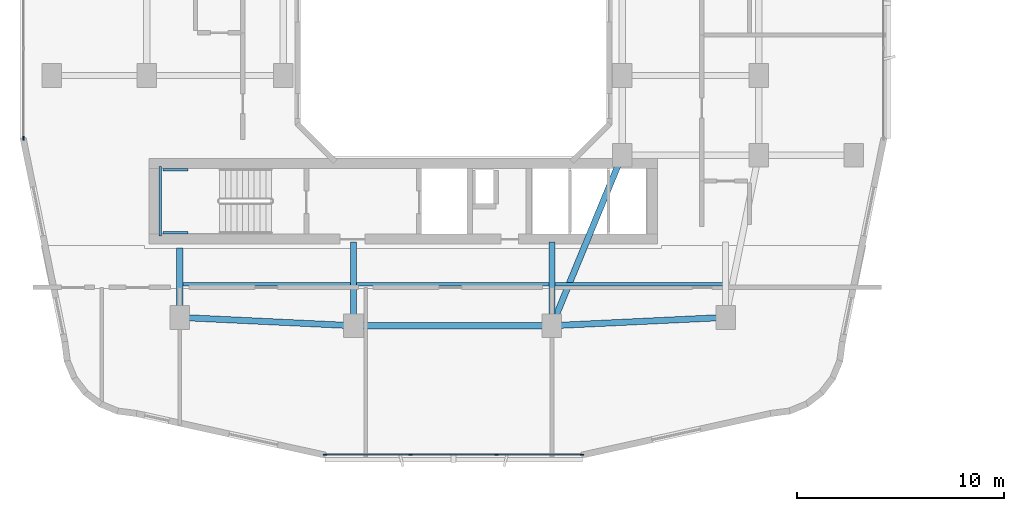
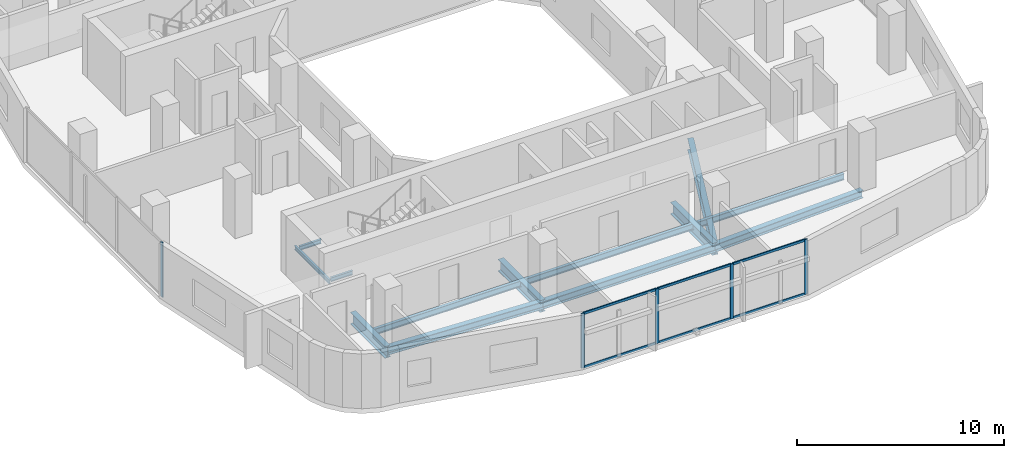
# One storey, part 2 of 26: 13 beams, 11 members, 2 elements without a shape of their own.
"""IFC4 building model written with IfcOpenShell, lengths in metres."""

from ifc_helpers import new_model, si_unit, derived_unit, direction, frame, origin, origin_2d, place, context, subcontext, project, spatial, rectangle, i_section, extrude, material, layer, layer_set, material_profile, profile_set, type_object, element, aggregate, save


model = new_model("IFC4")

# Units and contexts
model_context = context("Model", 3, precision=1e-05, world=origin(), true_north=direction((0.0, 1.0)))
body_context = subcontext(model_context, "Body", "Model", "MODEL_VIEW")
ifc_project = project(units=[si_unit("LENGTHUNIT", "METRE"), si_unit("AREAUNIT", "SQUARE_METRE"), si_unit("VOLUMEUNIT", "CUBIC_METRE"), si_unit("PLANEANGLEUNIT", "RADIAN"), si_unit("MASSUNIT", "GRAM", prefix="KILO"), derived_unit("THERMALTRANSMITTANCEUNIT", [(si_unit("POWERUNIT", "WATT"), 1), (si_unit("LENGTHUNIT", "METRE"), -2), (si_unit("THERMODYNAMICTEMPERATUREUNIT", "KELVIN"), -1)])], contexts=[model_context])

# Site, building, storey
site_placement = place(None, origin())
site = spatial("IfcSite", under=ifc_project, at=site_placement, CompositionType="ELEMENT")
building_placement = place(site_placement, origin())
building = spatial("IfcBuilding", under=site, at=building_placement, Name="Kivonza Crest Hotel", CompositionType="ELEMENT")
storey_placement = place(building_placement, frame((0.0, 0.0, 62.5)))
storey = spatial("IfcBuildingStorey", under=building, at=storey_placement, Name="L16", CompositionType="ELEMENT", Elevation=62.5)

# Beams
ifc_material_1 = material(Name="Steel S355", Category="steel")
ifc_material_profile_1 = material_profile(ifc_material_1, i_section(OverallWidth=0.300048828125, OverallDepth=0.449951171875, WebThickness=0.013916015625, FlangeThickness=0.02587890625, FilletRadius=0.027099609375, at=origin_2d()), Name="HEB 450")
ifc_profile_set_1 = profile_set([ifc_material_profile_1], Name="Steel S355")
beam_type_1 = type_object("IfcBeamType", Name="BM-HEB450", PredefinedType="SPANDREL", material=ifc_profile_set_1)
beam_1_placement = place(storey_placement, frame((16.199951171875, 9.39990234375, -0.5048828125), z_axis=(1.0, 0.0, 0.0), x_axis=(0.0, 1.0, 0.0)))
element("IfcBeam", 1, at=beam_1_placement, inside=storey, type_object=beam_type_1, Name="Tower T1 L16 perimeter spandrel S1-S2", PredefinedType="SPANDREL", context=body_context, shape_type="SweptSolid", body=[
    extrude(i_section(OverallWidth=0.300048828125, OverallDepth=0.449951171875, WebThickness=0.013916015625, FlangeThickness=0.02587890625, FilletRadius=0.027099609375, at=origin_2d()), origin(), (0.0, 0.0, 1.0), 9.60009765625),
])
for number, where, z_axis, x_axis, name in (
    (2, (25.800048828125, 9.39990234375, -0.5048828125), (0.998867283688, 0.047583080799, 0.0), (-0.047583080799, 0.998867283688, 0.0), "Tower T1 L16 perimeter spandrel S2-SE"),
    (3, (7.800048828125, 9.800048828125, -0.5048828125), (0.998867283688, -0.047583080799, 0.0), (0.047583080799, 0.998867283688, 0.0), "Tower T1 L16 perimeter spandrel SW-S1"),
):
    element("IfcBeam", number, at=place(storey_placement, frame(where, z_axis=z_axis, x_axis=x_axis)), inside=storey, type_object=beam_type_1, Name=name, PredefinedType="SPANDREL", context=body_context, shape_type="SweptSolid", body=[
        extrude(i_section(OverallWidth=0.300048828125, OverallDepth=0.449951171875, WebThickness=0.013916015625, FlangeThickness=0.02587890625, FilletRadius=0.027099609375, at=origin_2d()), origin(), (0.0, 0.0, 1.0), 8.409423828125),
    ])
ifc_material_profile_2 = material_profile(ifc_material_1, i_section(OverallWidth=0.300048828125, OverallDepth=0.699951171875, WebThickness=0.01708984375, FlangeThickness=0.031982421875, FilletRadius=0.027099609375, at=origin_2d()), Name="HEB 700")
ifc_profile_set_2 = profile_set([ifc_material_profile_2], Name="Steel S355")
beam_type_2 = type_object("IfcBeamType", Name="BM-HEB700", PredefinedType="BEAM", material=ifc_profile_set_2)
beam_2_placement = place(storey_placement, frame((25.800048828125, 9.39990234375, -0.6298828125), z_axis=(0.381022260404, 0.924565864109, 0.0), x_axis=(-0.924565864109, 0.381022260404, 0.0)))
element("IfcBeam", 4, at=beam_2_placement, inside=storey, type_object=beam_type_2, Name="Tower T1 L16 primary girder S1-TSE", PredefinedType="BEAM", context=body_context, shape_type="SweptSolid", body=[
    extrude(i_section(OverallWidth=0.300048828125, OverallDepth=0.699951171875, WebThickness=0.01708984375, FlangeThickness=0.031982421875, FilletRadius=0.027099609375, at=origin_2d()), origin(), (0.0, 0.0, 1.0), 8.923095703125),
])
beam_3_placement = place(storey_placement, frame((7.800048828125, 9.800048828125, -0.6298828125), z_axis=(0.0, 1.0, 0.0), x_axis=(-1.0, 0.0, 0.0)))
element("IfcBeam", 5, at=beam_3_placement, inside=storey, type_object=beam_type_2, Name="Tower T1 L16 radial core girder RSW", PredefinedType="BEAM", context=body_context, shape_type="SweptSolid", body=[
    extrude(i_section(OverallWidth=0.300048828125, OverallDepth=0.699951171875, WebThickness=0.01708984375, FlangeThickness=0.031982421875, FilletRadius=0.027099609375, at=origin_2d()), origin(), (0.0, 0.0, 1.0), 3.349853515625),
])
for number, where, z_axis, x_axis, name in (
    (6, (16.199951171875, 9.39990234375, -0.6298828125), (0.0, 1.0, 0.0), (-1.0, 0.0, 0.0), "Tower T1 L16 radial core girder RS1"),
    (7, (25.800048828125, 9.39990234375, -0.6298828125), (0.0, 1.0, 0.0), (-1.0, 0.0, 0.0), "Tower T1 L16 radial core girder RS2"),
):
    element("IfcBeam", number, at=place(storey_placement, frame(where, z_axis=z_axis, x_axis=x_axis)), inside=storey, type_object=beam_type_2, Name=name, PredefinedType="BEAM", context=body_context, shape_type="SweptSolid", body=[
        extrude(i_section(OverallWidth=0.300048828125, OverallDepth=0.699951171875, WebThickness=0.01708984375, FlangeThickness=0.031982421875, FilletRadius=0.027099609375, at=origin_2d()), origin(), (0.0, 0.0, 1.0), 4.050048828125),
    ])
ifc_material_profile_3 = material_profile(ifc_material_1, i_section(OverallWidth=0.169921875, OverallDepth=0.360107421875, WebThickness=0.008056640625, FlangeThickness=0.0126953125, FilletRadius=0.01806640625, at=origin_2d()), Name="IPE 360")
ifc_profile_set_3 = profile_set([ifc_material_profile_3], Name="Steel S355")
beam_type_3 = type_object("IfcBeamType", Name="BM-IPE360", PredefinedType="JOIST", material=ifc_profile_set_3)
beam_4_placement = place(storey_placement, frame((7.8798828125, 11.39990234375, -0.4599609375), z_axis=(1.0, 0.0, 0.0), x_axis=(0.0, 1.0, 0.0)))
element("IfcBeam", 8, at=beam_4_placement, inside=storey, type_object=beam_type_3, Name="Tower T1 L16 South-West floor joist", PredefinedType="JOIST", context=body_context, shape_type="SweptSolid", body=[
    extrude(i_section(OverallWidth=0.169921875, OverallDepth=0.360107421875, WebThickness=0.008056640625, FlangeThickness=0.0126953125, FilletRadius=0.01806640625, at=origin_2d()), origin(), (0.0, 0.0, 1.0), 8.240234375),
])
beam_5_placement = place(storey_placement, frame((16.280029296875, 11.39990234375, -0.4599609375), z_axis=(1.0, 0.0, 0.0), x_axis=(0.0, 1.0, 0.0)))
element("IfcBeam", 9, at=beam_5_placement, inside=storey, type_object=beam_type_3, Name="Tower T1 L16 South-Mid floor joist", PredefinedType="JOIST", context=body_context, shape_type="SweptSolid", body=[
    extrude(i_section(OverallWidth=0.169921875, OverallDepth=0.360107421875, WebThickness=0.008056640625, FlangeThickness=0.0126953125, FilletRadius=0.01806640625, at=origin_2d()), origin(), (0.0, 0.0, 1.0), 9.43994140625),
])
beam_6_placement = place(storey_placement, frame((25.8798828125, 11.39990234375, -0.4599609375), z_axis=(1.0, 0.0, 0.0), x_axis=(0.0, 1.0, 0.0)))
element("IfcBeam", 10, at=beam_6_placement, inside=storey, type_object=beam_type_3, Name="Tower T1 L16 South-East floor joist", PredefinedType="JOIST", context=body_context, shape_type="SweptSolid", body=[
    extrude(i_section(OverallWidth=0.169921875, OverallDepth=0.360107421875, WebThickness=0.008056640625, FlangeThickness=0.0126953125, FilletRadius=0.01806640625, at=origin_2d()), origin(), (0.0, 0.0, 1.0), 8.240234375),
])
ifc_material_profile_4 = material_profile(ifc_material_1, i_section(OverallWidth=0.1201171875, OverallDepth=0.239990234375, WebThickness=0.006103515625, FlangeThickness=0.009765625, FilletRadius=0.014892578125, at=origin_2d()), Name="IPE 240")
ifc_profile_set_4 = profile_set([ifc_material_profile_4], Name="Steel S355")
beam_type_4 = type_object("IfcBeamType", Name="BM-LLDG-240", PredefinedType="BEAM", material=ifc_profile_set_4)
beam_7_placement = place(storey_placement, frame((6.860107421875, 13.739990234375, 1.429931640625), z_axis=(0.0, 1.0, 0.0), x_axis=(-1.0, 0.0, 0.0)))
element("IfcBeam", 11, at=beam_7_placement, inside=storey, type_object=beam_type_4, Name="Stair ST-T1-S L16 West landing corbel", PredefinedType="BEAM", context=body_context, shape_type="SweptSolid", body=[
    extrude(i_section(OverallWidth=0.1201171875, OverallDepth=0.239990234375, WebThickness=0.006103515625, FlangeThickness=0.009765625, FilletRadius=0.014892578125, at=origin_2d()), origin(), (0.0, 0.0, 1.0), 3.360107421875),
])
for number, where, z_axis, x_axis, name in (
    (12, (6.989990234375, 13.89990234375, 1.429931640625), (1.0, 0.0, 0.0), (0.0, 1.0, 0.0), "Stair ST-T1-S L16 South landing corbel"),
    (13, (6.989990234375, 16.93994140625, 1.429931640625), (1.0, 0.0, 0.0), (0.0, 1.0, 0.0), "Stair ST-T1-S L16 North landing corbel"),
):
    element("IfcBeam", number, at=place(storey_placement, frame(where, z_axis=z_axis, x_axis=x_axis)), inside=storey, type_object=beam_type_4, Name=name, PredefinedType="BEAM", context=body_context, shape_type="SweptSolid", body=[
        extrude(i_section(OverallWidth=0.1201171875, OverallDepth=0.239990234375, WebThickness=0.006103515625, FlangeThickness=0.009765625, FilletRadius=0.014892578125, at=origin_2d()), origin(), (0.0, 0.0, 1.0), 1.2099609375),
    ])

# Curtain wall, members
ifc_material_2 = material(Name="Anodised bronze aluminium and low-E double glazing", Category="aluminium")
ifc_layer = layer(ifc_material_2, 0.179931640625)
ifc_layer_set = layer_set([ifc_layer], Name="Anodised bronze aluminium and low-E double glazing")
curtain_wall_type = type_object("IfcCurtainWallType", Name="CW-SYS-2", PredefinedType="NOTDEFINED", material=ifc_layer_set)
curtain_wall_1_placement = place(storey_placement, origin())
curtain_wall_1 = element("IfcCurtainWall", 14, at=curtain_wall_1_placement, inside=storey, type_object=curtain_wall_type, Name="L16 unitised curtain wall CW-T1-L16-08", PredefinedType="NOTDEFINED")
ifc_material_3 = material(Name="Anodised bronze aluminium", Category="aluminium")
ifc_material_profile_5 = material_profile(ifc_material_3, rectangle(XDim=0.06494140625, YDim=0.179931640625, at=origin_2d()), Name="CW-M 65x180")
ifc_profile_set_5 = profile_set([ifc_material_profile_5], Name="Anodised bronze aluminium")
member_type_1 = type_object("IfcMemberType", Name="CW-MUL-65x180", PredefinedType="MULLION", material=ifc_profile_set_5)
member_1_placement = place(storey_placement, frame((14.824462890625, 3.159912109375, 0.0), z_axis=(0.0, 0.0, 1.0), x_axis=(0.0, 1.0, 0.0)))
member_1 = element("IfcMember", 15, at=member_1_placement, type_object=member_type_1, Name="CW-2 mullion 1", PredefinedType="MULLION", context=body_context, shape_type="SweptSolid", body=[
    extrude(rectangle(XDim=0.06494140625, YDim=0.179931640625, at=origin_2d()), origin(), (0.0, 0.0, 1.0), 3.219970703125),
])
member_2_placement = place(storey_placement, frame((18.957275390625, 3.159912109375, 0.0), z_axis=(0.0, 0.0, 1.0), x_axis=(0.0, 1.0, 0.0)))
member_2 = element("IfcMember", 16, at=member_2_placement, type_object=member_type_1, Name="CW-2 mullion 2", PredefinedType="MULLION", context=body_context, shape_type="SweptSolid", body=[
    extrude(rectangle(XDim=0.06494140625, YDim=0.179931640625, at=origin_2d()), origin(), (0.0, 0.0, 1.0), 3.219970703125),
])
member_3_placement = place(storey_placement, frame((23.12255859375, 3.159912109375, 0.0), z_axis=(0.0, 0.0, 1.0), x_axis=(0.0, 1.0, 0.0)))
member_3 = element("IfcMember", 17, at=member_3_placement, type_object=member_type_1, Name="CW-2 mullion 3", PredefinedType="MULLION", context=body_context, shape_type="SweptSolid", body=[
    extrude(rectangle(XDim=0.06494140625, YDim=0.179931640625, at=origin_2d()), origin(), (0.0, 0.0, 1.0), 3.219970703125),
])
member_4_placement = place(storey_placement, frame((27.255615234375, 3.159912109375, 0.0), z_axis=(0.0, 0.0, 1.0), x_axis=(0.0, 1.0, 0.0)))
member_4 = element("IfcMember", 18, at=member_4_placement, type_object=member_type_1, Name="CW-2 mullion 4", PredefinedType="MULLION", context=body_context, shape_type="SweptSolid", body=[
    extrude(rectangle(XDim=0.06494140625, YDim=0.179931640625, at=origin_2d()), origin(), (0.0, 0.0, 1.0), 3.219970703125),
])

# Curtain wall, member
curtain_wall_2_placement = place(storey_placement, origin())
curtain_wall_2 = element("IfcCurtainWall", 19, at=curtain_wall_2_placement, inside=storey, type_object=curtain_wall_type, Name="L16 unitised curtain wall CW-T1-L16-35", PredefinedType="NOTDEFINED")
member_5_placement = place(storey_placement, frame((0.239990234375, 18.472412109375, 0.0), z_axis=(0.0, 0.0, 1.0), x_axis=(1.0, 0.0, 0.0)))
member_5 = element("IfcMember", 20, at=member_5_placement, type_object=member_type_1, Name="CW-2 mullion 4", PredefinedType="MULLION", context=body_context, shape_type="SweptSolid", body=[
    extrude(rectangle(XDim=0.06494140625, YDim=0.179931640625, at=origin_2d()), origin(), (0.0, 0.0, 1.0), 3.219970703125),
])
aggregate(curtain_wall_2, [member_5])

# Member
ifc_material_profile_6 = material_profile(ifc_material_3, rectangle(XDim=0.06494140625, YDim=0.139892578125, at=origin_2d()), Name="CW-T 65x140")
ifc_profile_set_6 = profile_set([ifc_material_profile_6], Name="Anodised bronze aluminium")
member_type_2 = type_object("IfcMemberType", Name="CW-TRN-65x140", PredefinedType="USERDEFINED", material=ifc_profile_set_6)
member_6_placement = place(storey_placement, frame((14.85693359375, 3.159912109375, 0.032470703125), z_axis=(1.0, 0.0, 0.0), x_axis=(0.0, 1.0, 0.0)))
member_6 = element("IfcMember", 21, at=member_6_placement, type_object=member_type_2, Name="CW-2 transom 1.1", ObjectType="TRANSOM", PredefinedType="USERDEFINED", context=body_context, shape_type="SweptSolid", body=[
    extrude(rectangle(XDim=0.06494140625, YDim=0.139892578125, at=origin_2d()), origin(), (0.0, 0.0, 1.0), 4.06787109375),
])

member_7_placement = place(storey_placement, frame((14.85693359375, 3.159912109375, 3.1875), z_axis=(1.0, 0.0, 0.0), x_axis=(0.0, 1.0, 0.0)))
member_7 = element("IfcMember", 22, at=member_7_placement, type_object=member_type_2, Name="CW-2 transom 1.2", ObjectType="TRANSOM", PredefinedType="USERDEFINED", context=body_context, shape_type="SweptSolid", body=[
    extrude(rectangle(XDim=0.06494140625, YDim=0.139892578125, at=origin_2d()), origin(), (0.0, 0.0, 1.0), 4.06787109375),
])

member_8_placement = place(storey_placement, frame((18.98974609375, 3.159912109375, 0.032470703125), z_axis=(1.0, 0.0, 0.0), x_axis=(0.0, 1.0, 0.0)))
member_8 = element("IfcMember", 23, at=member_8_placement, type_object=member_type_2, Name="CW-2 transom 2.1", ObjectType="TRANSOM", PredefinedType="USERDEFINED", context=body_context, shape_type="SweptSolid", body=[
    extrude(rectangle(XDim=0.06494140625, YDim=0.139892578125, at=origin_2d()), origin(), (0.0, 0.0, 1.0), 4.100341796875),
])

member_9_placement = place(storey_placement, frame((18.98974609375, 3.159912109375, 3.1875), z_axis=(1.0, 0.0, 0.0), x_axis=(0.0, 1.0, 0.0)))
member_9 = element("IfcMember", 24, at=member_9_placement, type_object=member_type_2, Name="CW-2 transom 2.2", ObjectType="TRANSOM", PredefinedType="USERDEFINED", context=body_context, shape_type="SweptSolid", body=[
    extrude(rectangle(XDim=0.06494140625, YDim=0.139892578125, at=origin_2d()), origin(), (0.0, 0.0, 1.0), 4.100341796875),
])

member_10_placement = place(storey_placement, frame((23.1552734375, 3.159912109375, 0.032470703125), z_axis=(1.0, 0.0, 0.0), x_axis=(0.0, 1.0, 0.0)))
member_10 = element("IfcMember", 25, at=member_10_placement, type_object=member_type_2, Name="CW-2 transom 3.1", ObjectType="TRANSOM", PredefinedType="USERDEFINED", context=body_context, shape_type="SweptSolid", body=[
    extrude(rectangle(XDim=0.06494140625, YDim=0.139892578125, at=origin_2d()), origin(), (0.0, 0.0, 1.0), 4.067626953125),
])

member_11_placement = place(storey_placement, frame((23.1552734375, 3.159912109375, 3.1875), z_axis=(1.0, 0.0, 0.0), x_axis=(0.0, 1.0, 0.0)))
member_11 = element("IfcMember", 26, at=member_11_placement, type_object=member_type_2, Name="CW-2 transom 3.2", ObjectType="TRANSOM", PredefinedType="USERDEFINED", context=body_context, shape_type="SweptSolid", body=[
    extrude(rectangle(XDim=0.06494140625, YDim=0.139892578125, at=origin_2d()), origin(), (0.0, 0.0, 1.0), 4.067626953125),
])

aggregate(curtain_wall_1, [member_1, member_2, member_3, member_4, member_6, member_7, member_8, member_9, member_10, member_11])

save(model, "model.ifc")
